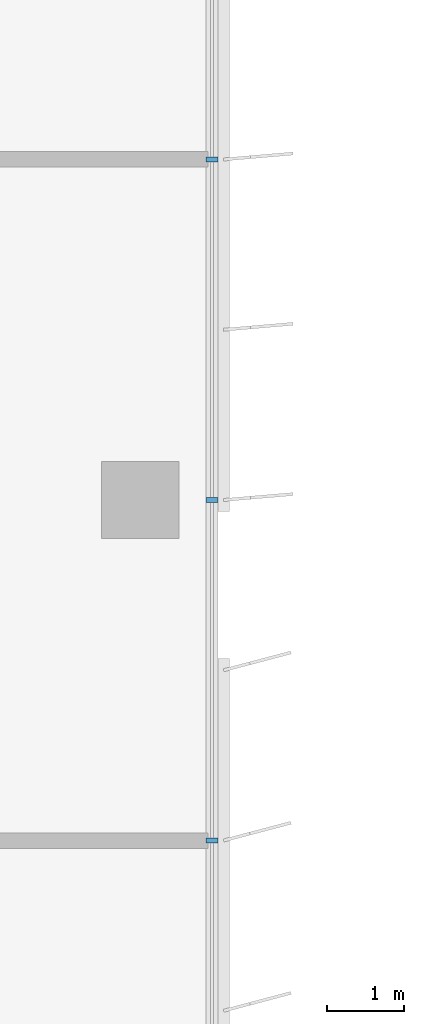
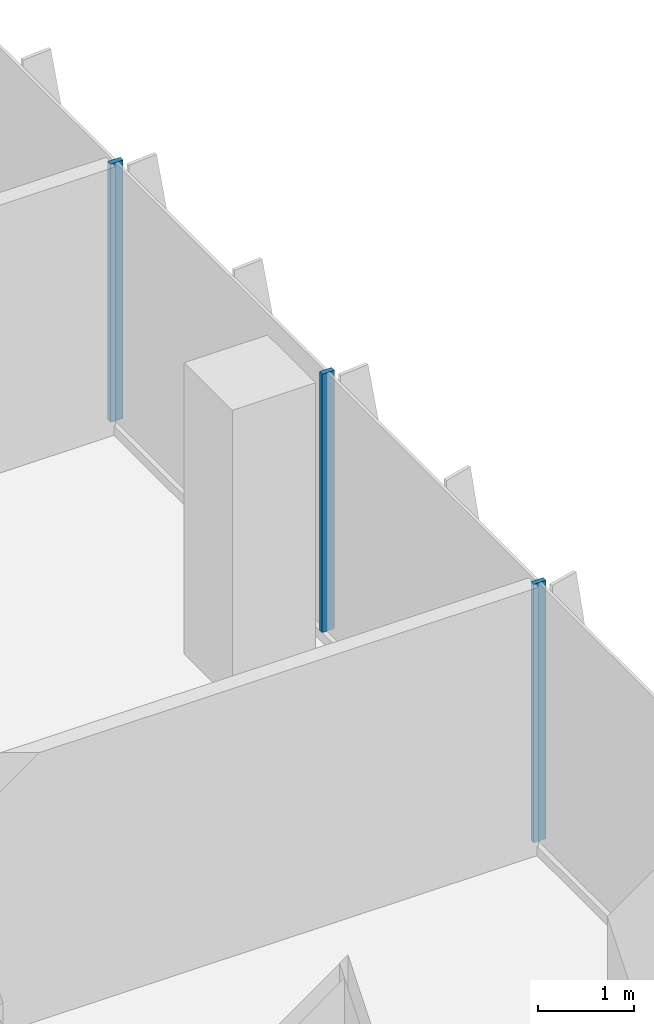
# One storey, part 5 of 21: 3 members, 1 element without a shape of its own.
"""IFC4 building model written with IfcOpenShell, lengths in metres."""

import ifcopenshell
import ifcopenshell.guid

model = None  # the IFC model being written
_history = None  # IfcOwnerHistory: only IFC2X3 demands one
_inside = {}  # id of a spatial element -> (the spatial element, [elements in it])
_under = {}  # id of a project, library or spatial element -> (it, [spatial elements below it])
_declared = {}  # id of a project -> (the project, [libraries it declares])
_typed = {}  # id of a type object -> (the type object, [elements of that type])
_made_of = {}  # id of a material, layer set ... -> (it, [elements and type objects made of it])


def new_model(schema):
    """Start an empty IFC model of exactly this schema.

    Asked for "IFC4X3", IfcOpenShell would pick the latest addendum, in which some entities
    have other attributes; the version numbers below select the first issue.
    IFC2X3 requires an IfcOwnerHistory on every rooted entity: one is made here for all.
    """
    global model, _history
    if schema == "IFC4X3":
        model = ifcopenshell.file(schema_version=(4, 3, 0, 0))
    else:
        model = ifcopenshell.file(schema=schema)
    _inside.clear()
    _under.clear()
    _declared.clear()
    _typed.clear()
    _made_of.clear()
    _history = None
    if model.schema == "IFC2X3":
        org = make("IfcOrganization", Name="unknown")
        user = make(
            "IfcPersonAndOrganization",
            ThePerson=make("IfcPerson", FamilyName="unknown"),
            TheOrganization=org,
        )
        app = make(
            "IfcApplication",
            ApplicationDeveloper=org,
            Version="unknown",
            ApplicationFullName="unknown",
            ApplicationIdentifier="unknown",
        )
        _history = make(
            "IfcOwnerHistory",
            OwningUser=user,
            OwningApplication=app,
            ChangeAction="ADDED",
            CreationDate=0,
        )
    return model


def make(cls, **values):
    """One entity of the class cls with the attributes given. An attribute that is None is left unset."""
    return model.create_entity(
        cls, **{name: value for name, value in values.items() if value is not None}
    )


def rooted(cls, **values):
    """An entity with a GlobalId (a new one), such as an element, a storey or a relation."""
    return make(cls, GlobalId=ifcopenshell.guid.new(), OwnerHistory=_history, **values)


def si_unit(unit_type, name, prefix=None):
    """IfcSIUnit, for example si_unit("LENGTHUNIT", "METRE", prefix="MILLI")."""
    return make("IfcSIUnit", UnitType=unit_type, Prefix=prefix, Name=name)


def assignment(units):
    """IfcUnitAssignment: the units of a project."""
    return None if units is None else make("IfcUnitAssignment", Units=units)


def point(xyz):
    """IfcCartesianPoint."""
    return None if xyz is None else make("IfcCartesianPoint", Coordinates=xyz)


def direction(xyz):
    """IfcDirection."""
    return None if xyz is None else make("IfcDirection", DirectionRatios=xyz)


def frame(location, z_axis=None, x_axis=None):
    """IfcAxis2Placement3D, a coordinate frame: its origin and axes. An axis left out is left unset."""
    return make(
        "IfcAxis2Placement3D",
        Location=point(location),
        Axis=direction(z_axis),
        RefDirection=direction(x_axis),
    )


def frame_2d(location, x_axis=None):
    """IfcAxis2Placement2D, a coordinate frame in the plane: its origin and x axis."""
    return make(
        "IfcAxis2Placement2D", Location=point(location), RefDirection=direction(x_axis)
    )


def origin():
    """The frame at (0, 0, 0) with its axes left unset."""
    return frame((0.0, 0.0, 0.0))


def origin_2d():
    """The frame at (0, 0) in the plane with its x axis left unset."""
    return frame_2d((0.0, 0.0))


def place(relative_to, where):
    """IfcLocalPlacement: puts the frame where relative to a parent placement (None: the world)."""
    return make(
        "IfcLocalPlacement", PlacementRelTo=relative_to, RelativePlacement=where
    )


def context(
    kind, dimensions, precision=None, world=None, true_north=None, identifier=None
):
    """IfcGeometricRepresentationContext, for example the 3D "Model" context."""
    return make(
        "IfcGeometricRepresentationContext",
        ContextIdentifier=identifier,
        ContextType=kind,
        CoordinateSpaceDimension=dimensions,
        Precision=precision,
        WorldCoordinateSystem=world,
        TrueNorth=true_north,
    )


def subcontext(parent, identifier, kind, view, scale=None):
    """IfcGeometricRepresentationSubContext, for example "Body" below "Model"."""
    return make(
        "IfcGeometricRepresentationSubContext",
        ContextIdentifier=identifier,
        ContextType=kind,
        ParentContext=parent,
        TargetScale=scale,
        TargetView=view,
    )


def project(units=None, contexts=None):
    """IfcProject with its units and contexts."""
    return rooted(
        "IfcProject",
        Name="project",
        RepresentationContexts=contexts,
        UnitsInContext=assignment(units),
    )


def spatial(cls, under=None, at=None, **own):
    """A site, building, storey or space (cls), placed at a placement, below another one or the project."""
    s = rooted(cls, ObjectPlacement=at, **own)
    if under is not None:
        _under.setdefault(under.id(), (under, []))[1].append(s)
    return s


def profile(cls, at=None, kind="AREA", **sizes):
    """A parametric profile (cls). Its sizes go by their IFC names, for example OverallWidth=200.0."""
    return make(cls, ProfileType=kind, Position=at, **sizes)


def rectangle(**sizes):
    """IfcRectangleProfileDef."""
    return profile("IfcRectangleProfileDef", **sizes)


def extrude(swept, where, along, depth):
    """IfcExtrudedAreaSolid: the profile swept, set in the frame where, extruded along a direction by depth."""
    return make(
        "IfcExtrudedAreaSolid",
        SweptArea=swept,
        Position=where,
        ExtrudedDirection=direction(along),
        Depth=depth,
    )


def shape(context_of_items, identifier, shape_type, items):
    """IfcShapeRepresentation: the items that make up one representation, for example the "Body"."""
    return make(
        "IfcShapeRepresentation",
        ContextOfItems=context_of_items,
        RepresentationIdentifier=identifier,
        RepresentationType=shape_type,
        Items=items,
    )


def source(mapping_origin, context_of_items, identifier, shape_type, items):
    """IfcRepresentationMap: a shape defined once, which mapped items show again and again."""
    return make(
        "IfcRepresentationMap",
        MappingOrigin=mapping_origin,
        MappedRepresentation=shape(context_of_items, identifier, shape_type, items),
    )


def transform(
    local_origin,
    x_axis=None,
    y_axis=None,
    z_axis=None,
    scale=None,
    scale2=None,
    scale3=None,
    uniform=True,
):
    """IfcCartesianTransformationOperator3D, or its non-uniform kind. x_axis, y_axis, z_axis: its Axis1, 2, 3."""
    if uniform:
        return make(
            "IfcCartesianTransformationOperator3D",
            Axis1=direction(x_axis),
            Axis2=direction(y_axis),
            LocalOrigin=point(local_origin),
            Scale=scale,
            Axis3=direction(z_axis),
        )
    return make(
        "IfcCartesianTransformationOperator3DnonUniform",
        Axis1=direction(x_axis),
        Axis2=direction(y_axis),
        LocalOrigin=point(local_origin),
        Scale=scale,
        Axis3=direction(z_axis),
        Scale2=scale2,
        Scale3=scale3,
    )


def mapped(mapping_source, mapping_target):
    """IfcMappedItem: shows the shape of a source again, moved by a transform."""
    return make(
        "IfcMappedItem", MappingSource=mapping_source, MappingTarget=mapping_target
    )


def material(Name=None, Category=None):
    """IfcMaterial."""
    return make("IfcMaterial", Name=Name, Category=Category)


def material_profile(
    of_material, cross_section, Name=None, Category=None, Priority=None
):
    """IfcMaterialProfile: a cross section and its material."""
    return make(
        "IfcMaterialProfile",
        Name=Name,
        Material=of_material,
        Profile=cross_section,
        Priority=Priority,
        Category=Category,
    )


def profile_set(profiles, Name=None, composite=None):
    """IfcMaterialProfileSet."""
    return make(
        "IfcMaterialProfileSet",
        Name=Name,
        MaterialProfiles=profiles,
        CompositeProfile=composite,
    )


def made_of(thing, what):
    """Note that an element or type object is made of a material, layer set ...; save() writes the relation."""
    if what is not None:
        _made_of.setdefault(what.id(), (what, []))[1].append(thing)
    return thing


def type_object(cls, material=None, **own):
    """A type object (cls), such as IfcWallType, which elements share."""
    return made_of(rooted(cls, **own), material)


def element(
    cls,
    number,
    at=None,
    inside=None,
    cuts=None,
    type_object=None,
    material=None,
    context=None,
    identifier="Body",
    shape_type=None,
    held_by="IfcProductDefinitionShape",
    body=None,
    shapes=None,
    **own,
):
    """One element of the class cls, such as IfcWall. Its Tag is "e" and its number.

    at: its placement. inside: the storey or other place that contains it. cuts: it is an
    opening in that element (IfcRelVoidsElement). A single representation is given by context,
    identifier, shape_type and body (its items); several are given by shapes. held_by: the class
    of the entity that holds the representations. save() writes the other relations.
    """
    e = rooted(cls, Tag="e%d" % number, ObjectPlacement=at, **own)
    if body is not None:
        shapes = [shape(context, identifier, shape_type, body)]
    if shapes is not None:
        e.Representation = make(held_by, Representations=shapes)
    if inside is not None:
        _inside.setdefault(inside.id(), (inside, []))[1].append(e)
    if cuts is not None:
        rooted(
            "IfcRelVoidsElement", RelatingBuildingElement=cuts, RelatedOpeningElement=e
        )
    if type_object is not None:
        _typed.setdefault(type_object.id(), (type_object, []))[1].append(e)
    return made_of(e, material)


def aggregate(whole, parts):
    """IfcRelAggregates: a whole, such as a stair, and the parts it consists of."""
    return rooted("IfcRelAggregates", RelatingObject=whole, RelatedObjects=parts)


def save(model, path):
    """Write the relations noted so far, then the file.

    IfcRelAggregates (storeys below a building ...), IfcRelContainedInSpatialStructure (elements
    in a storey), IfcRelDefinesByType, IfcRelAssociatesMaterial and IfcRelDeclares: one each for
    every whole, place, type object, material and project.
    """
    for whole, parts in _under.values():
        aggregate(whole, parts)
    for where, things in _inside.values():
        rooted(
            "IfcRelContainedInSpatialStructure",
            RelatedElements=things,
            RelatingStructure=where,
        )
    for kind, things in _typed.values():
        rooted("IfcRelDefinesByType", RelatedObjects=things, RelatingType=kind)
    for what, things in _made_of.values():
        rooted("IfcRelAssociatesMaterial", RelatedObjects=things, RelatingMaterial=what)
    for by, libraries in _declared.values():
        rooted("IfcRelDeclares", RelatingContext=by, RelatedDefinitions=libraries)
    model.write(path)


model = new_model("IFC4")

# Units and contexts
model_context = context("Model", 3, precision=1e-05, world=origin(), true_north=direction((0.0, 1.0)))
body_context = subcontext(model_context, "Body", "Model", "MODEL_VIEW")
ifc_project = project(units=[si_unit("LENGTHUNIT", "METRE"), si_unit("AREAUNIT", "SQUARE_METRE"), si_unit("VOLUMEUNIT", "CUBIC_METRE"), si_unit("PLANEANGLEUNIT", "RADIAN"), si_unit("MASSUNIT", "GRAM", prefix="KILO")], contexts=[model_context])

# Site, building, storey
site_placement = place(None, origin())
site = spatial("IfcSite", under=ifc_project, at=site_placement, CompositionType="ELEMENT")
building_placement = place(site_placement, origin())
building = spatial("IfcBuilding", under=site, at=building_placement, Name="Kemantara Hotel Tower", CompositionType="ELEMENT")
storey_placement = place(building_placement, frame((0.0, 0.0, 164.199951171875)))
storey = spatial("IfcBuildingStorey", under=building, at=storey_placement, Name="L40", CompositionType="ELEMENT", Elevation=164.199951171875)

# Curtain wall, members
ifc_material_1 = material(Name="Low-E tinted double insulated glass 36 mm", Category="glass")
curtain_wall_type = type_object("IfcCurtainWallType", Name="TOWER CURTAIN WALL, FRONT FACES", PredefinedType="USERDEFINED", material=ifc_material_1)
curtain_wall_placement = place(storey_placement, origin())
curtain_wall = element("IfcCurtainWall", 1, at=curtain_wall_placement, inside=storey, type_object=curtain_wall_type, Name="CW4 L40 T3-R17-1", ObjectType="TOWER CURTAIN WALL, FRONT FACES", PredefinedType="USERDEFINED")
ifc_material_2 = material(Name="Aluminium 6063-T6 bronze anodised", Category="aluminium")
ifc_material_profile = material_profile(ifc_material_2, rectangle(XDim=0.14990234375, YDim=0.06005859375, at=origin_2d()), Name="TOWER CURTAIN WALL, FRONT FACES MULLION")
ifc_profile_set = profile_set([ifc_material_profile], Name="Aluminium 6063-T6 bronze anodised")
member_type = type_object("IfcMemberType", Name="TOWER CURTAIN WALL, FRONT FACES MULLION", PredefinedType="MULLION", material=ifc_profile_set)
shared_shape = source(origin(), body_context, "Body", "SweptSolid", [
    extrude(rectangle(XDim=0.14990234375, YDim=0.06005859375, at=origin_2d()), origin(), (0.0, 0.0, 1.0), 3.280029296875),
])
member_1_placement = place(storey_placement, frame((21.925048828125, 31.800048828125, 0.1201171875), z_axis=(0.0, 0.0, 1.0), x_axis=(-1.0, 0.0, 0.0)))
member_1 = element("IfcMember", 2, at=member_1_placement, type_object=member_type, Name="CW4 mullion T3-R17-1.3", PredefinedType="MULLION", context=body_context, shape_type="MappedRepresentation", body=[
    mapped(shared_shape, transform((0.0, 0.0, 0.0))),
])
member_2_placement = place(storey_placement, frame((21.925048828125, 36.199951171875, 0.1201171875), z_axis=(0.0, 0.0, 1.0), x_axis=(-1.0, 0.0, 0.0)))
member_2 = element("IfcMember", 3, at=member_2_placement, type_object=member_type, Name="CW4 mullion T3-R17-1.4", PredefinedType="MULLION", context=body_context, shape_type="MappedRepresentation", body=[
    mapped(shared_shape, transform((0.0, 0.0, 0.0))),
])
member_3_placement = place(storey_placement, frame((21.925048828125, 40.60009765625, 0.1201171875), z_axis=(0.0, 0.0, 1.0), x_axis=(-1.0, 0.0, 0.0)))
member_3 = element("IfcMember", 4, at=member_3_placement, type_object=member_type, Name="CW4 mullion T3-R17-1.5", PredefinedType="MULLION", context=body_context, shape_type="MappedRepresentation", body=[
    mapped(shared_shape, transform((0.0, 0.0, 0.0))),
])
aggregate(curtain_wall, [member_1, member_2, member_3])

save(model, "model.ifc")
